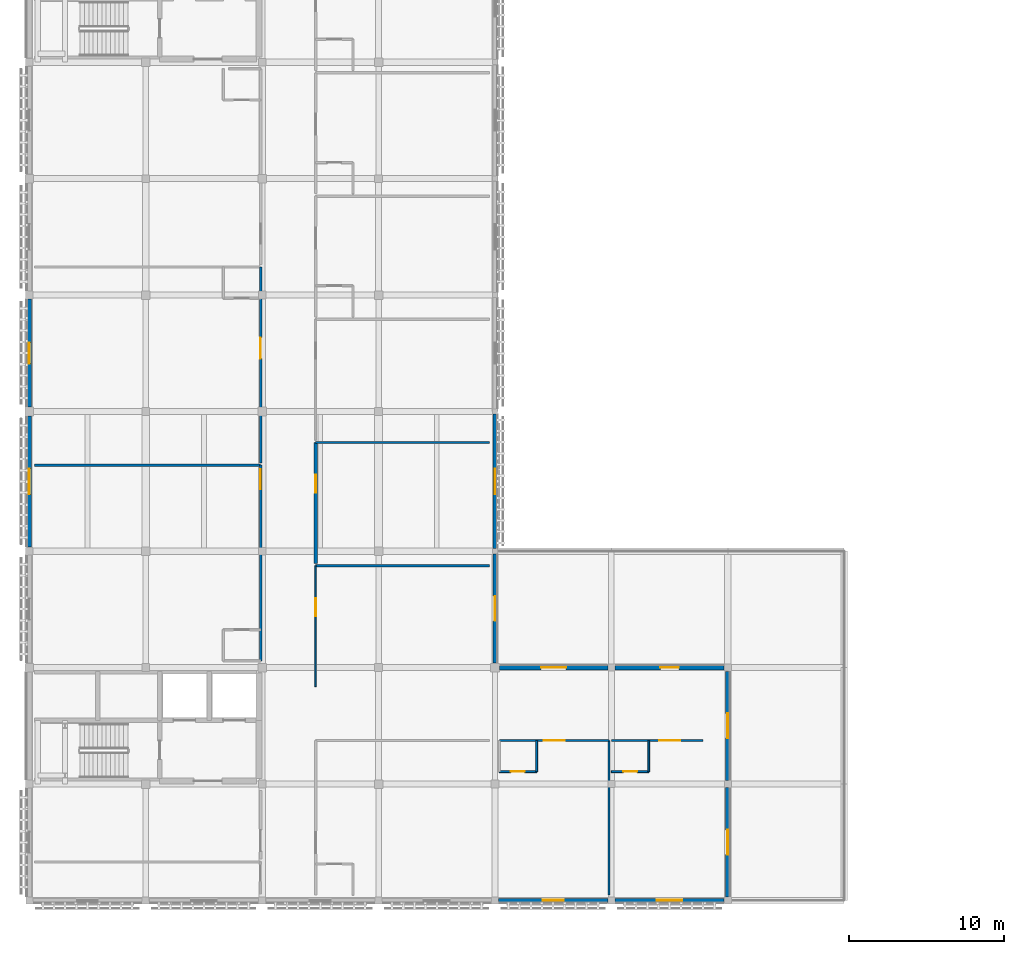
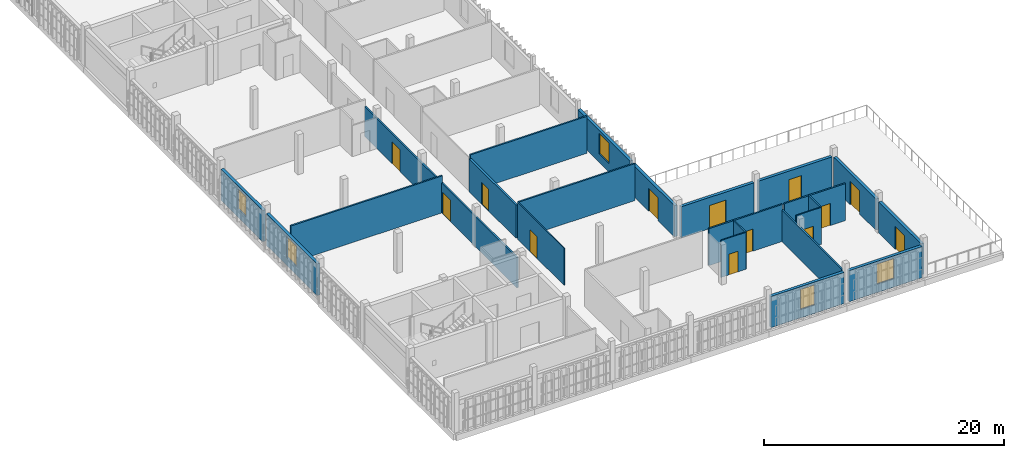
# One storey, part 5 of 17: 24 walls, 13 doors, 5 windows, 18 openings.
"""IFC4 building model written with IfcOpenShell, lengths in metres."""

from ifc_helpers import new_model, si_unit, direction, frame, frame_2d, origin, place, context, subcontext, project, spatial, rectangle, extrude, material, layer, layer_set, type_object, element, fill, save


model = new_model("IFC4")

# Units and contexts
model_context = context("Model", 3, precision=1e-05, world=origin(), true_north=direction((0.0, 1.0)))
body_context = subcontext(model_context, "Body", "Model", "MODEL_VIEW")
ifc_project = project(units=[si_unit("LENGTHUNIT", "METRE"), si_unit("AREAUNIT", "SQUARE_METRE"), si_unit("VOLUMEUNIT", "CUBIC_METRE"), si_unit("PLANEANGLEUNIT", "RADIAN"), si_unit("MASSUNIT", "GRAM", prefix="KILO")], contexts=[model_context])

# Site, building, storey
site_placement = place(None, origin())
site = spatial("IfcSite", under=ifc_project, at=site_placement, CompositionType="ELEMENT")
building_placement = place(site_placement, origin())
building = spatial("IfcBuilding", under=site, at=building_placement, Name="Dalvernix Boulevard General Hospital", CompositionType="ELEMENT")
storey_placement = place(building_placement, frame((0.0, 0.0, 25.949951171875)))
storey = spatial("IfcBuildingStorey", under=building, at=storey_placement, Name="L06", CompositionType="ELEMENT", Elevation=25.949951171875)

# Wall, opening, window
ifc_material_1 = material(Name="Screened upper-ward insulated masonry cavity wall C35/45", Category="masonry")
ifc_layer_1 = layer(ifc_material_1, 0.280029296875)
ifc_layer_set_1 = layer_set([ifc_layer_1], Name="Screened upper-ward insulated masonry cavity wall C35/45 (WAL-EW-03)")
wall_type_1 = type_object("IfcWallType", Name="WAL-EW-03", PredefinedType="STANDARD", material=ifc_layer_set_1)
wall_1_placement = place(storey_placement, frame((0.0, 22.760009765625, 0.0), z_axis=(0.0, 0.0, 1.0), x_axis=(0.0, 1.0, 0.0)))
wall_1 = element("IfcWall", 1, at=wall_1_placement, inside=storey, type_object=wall_type_1, Name="L06 Catalan brick external wall W 0-3", PredefinedType="STANDARD", context=body_context, shape_type="SweptSolid", body=[
    extrude(rectangle(XDim=8.455078125, YDim=0.280029296875, at=frame_2d((4.2275390625, 0.0))), origin(), (0.0, 0.0, 1.0), 3.219970703125),
])
opening_1_placement = place(wall_1_placement, frame((3.402587890625, 0.0, 0.85009765625)))
opening_1 = element("IfcOpeningElement", 2, at=opening_1_placement, cuts=wall_1, Name="Opening WN-20", PredefinedType="OPENING", context=body_context, shape_type="SweptSolid", body=[
    extrude(rectangle(XDim=1.64990234375, YDim=2.090087890625, at=frame_2d((0.824951171875, 1.044921875))), frame((0.0, 0.14990234375, 0.0), z_axis=(0.0, -1.0, 0.0), x_axis=(1.0, 0.0, 0.0)), (0.0, 0.0, 1.0), 0.300048828125),
])
ifc_material_2 = material(Name="Thermally broken aluminium frame with solar-control double glazing", Category="aluminium")
window_type_1 = type_object("IfcWindowType", Name="WIN-WN-20", PartitioningType="SINGLE_PANEL", PredefinedType="WINDOW", material=ifc_material_2)
window_1_placement = place(opening_1_placement, origin())
window_1 = element("IfcWindow", 3, at=window_1_placement, inside=storey, type_object=window_type_1, Name="L06 clinical window WN-20 W 0-3", OverallHeight=2.090087890625, OverallWidth=1.64990234375, PartitioningType="SINGLE_PANEL", PredefinedType="WINDOW", context=body_context, shape_type="SweptSolid", body=[
    extrude(rectangle(XDim=1.64990234375, YDim=2.090087890625, at=frame_2d((0.824951171875, 1.044921875))), frame((0.0, 0.030029296875, 0.0), z_axis=(0.0, -1.0, 0.0), x_axis=(1.0, 0.0, 0.0)), (0.0, 0.0, 1.0), 0.06005859375),
])
fill(opening_1, window_1)

wall_2_placement = place(storey_placement, frame((0.0, 31.784912109375, 0.0), z_axis=(0.0, 0.0, 1.0), x_axis=(0.0, 1.0, 0.0)))
wall_2 = element("IfcWall", 4, at=wall_2_placement, inside=storey, type_object=wall_type_1, Name="L06 Catalan brick external wall W 0-4", PredefinedType="STANDARD", context=body_context, shape_type="SweptSolid", body=[
    extrude(rectangle(XDim=6.955078125, YDim=0.280029296875, at=frame_2d((3.4775390625, 0.0))), origin(), (0.0, 0.0, 1.0), 3.170166015625),
])
opening_2_placement = place(wall_2_placement, frame((2.802490234375, 0.0, 0.85009765625)))
opening_2 = element("IfcOpeningElement", 5, at=opening_2_placement, cuts=wall_2, Name="Opening WN-19", PredefinedType="OPENING", context=body_context, shape_type="SweptSolid", body=[
    extrude(rectangle(XDim=1.35009765625, YDim=2.0400390625, at=frame_2d((0.675048828125, 1.02001953125))), frame((0.0, 0.14990234375, 0.0), z_axis=(0.0, -1.0, 0.0), x_axis=(1.0, 0.0, 0.0)), (0.0, 0.0, 1.0), 0.300048828125),
])
window_type_2 = type_object("IfcWindowType", Name="WIN-WN-19", PartitioningType="SINGLE_PANEL", PredefinedType="WINDOW", material=ifc_material_2)
window_2_placement = place(opening_2_placement, origin())
window_2 = element("IfcWindow", 6, at=window_2_placement, inside=storey, type_object=window_type_2, Name="L06 clinical window WN-19 W 0-4", OverallHeight=2.0400390625, OverallWidth=1.35009765625, PartitioningType="SINGLE_PANEL", PredefinedType="WINDOW", context=body_context, shape_type="SweptSolid", body=[
    extrude(rectangle(XDim=1.35009765625, YDim=2.0400390625, at=frame_2d((0.675048828125, 1.02001953125))), frame((0.0, 0.030029296875, 0.0), z_axis=(0.0, -1.0, 0.0), x_axis=(1.0, 0.0, 0.0)), (0.0, 0.0, 1.0), 0.06005859375),
])
fill(opening_2, window_2)

# Wall, opening, door
wall_3_placement = place(storey_placement, frame((30.0, 22.330078125, 0.0), z_axis=(0.0, 0.0, 1.0), x_axis=(0.0, -1.0, 0.0)))
wall_3 = element("IfcWall", 7, at=wall_3_placement, inside=storey, type_object=wall_type_1, Name="L06 Catalan brick external wall E 4-2", PredefinedType="STANDARD", context=body_context, shape_type="SweptSolid", body=[
    extrude(rectangle(XDim=7.045166015625, YDim=0.280029296875, at=frame_2d((3.5224609375, 0.0))), origin(), (0.0, 0.0, 1.0), 3.170166015625),
])
opening_3_placement = place(wall_3_placement, frame((2.722412109375, 0.0, 0.0)))
opening_3 = element("IfcOpeningElement", 8, at=opening_3_placement, cuts=wall_3, Name="Opening TD-16", PredefinedType="OPENING", context=body_context, shape_type="SweptSolid", body=[
    extrude(rectangle(XDim=1.60009765625, YDim=2.35009765625, at=frame_2d((0.800048828125, 1.175048828125))), frame((0.0, 0.14990234375, 0.0), z_axis=(0.0, -1.0, 0.0), x_axis=(1.0, 0.0, 0.0)), (0.0, 0.0, 1.0), 0.300048828125),
])
ifc_material_3 = material(Name="Powder-coated aluminium and laminated safety glass", Category="aluminium")
door_type_1 = type_object("IfcDoorType", Name="DR-TD-16", OperationType="DOUBLE_DOOR_SINGLE_SWING", PredefinedType="DOOR", material=ifc_material_3)
door_1_placement = place(opening_3_placement, origin())
door_1 = element("IfcDoor", 9, at=door_1_placement, inside=storey, type_object=door_type_1, Name="L06 ward terrace access door E 4-2", OperationType="DOUBLE_DOOR_SINGLE_SWING", OverallHeight=2.35009765625, OverallWidth=1.60009765625, PredefinedType="DOOR", context=body_context, shape_type="SweptSolid", body=[
    extrude(rectangle(XDim=1.60009765625, YDim=2.35009765625, at=frame_2d((0.800048828125, 1.175048828125))), frame((0.0, 0.02490234375, 0.0), z_axis=(0.0, -1.0, 0.0), x_axis=(1.0, 0.0, 0.0)), (0.0, 0.0, 1.0), 0.050048828125),
])
fill(opening_3, door_1)

# Wall, opening, window
wall_4_placement = place(storey_placement, frame((30.0, 31.330078125, 0.0), z_axis=(0.0, 0.0, 1.0), x_axis=(0.0, -1.0, 0.0)))
wall_4 = element("IfcWall", 10, at=wall_4_placement, inside=storey, type_object=wall_type_1, Name="L06 Catalan brick external wall E 4-3", PredefinedType="STANDARD", context=body_context, shape_type="SweptSolid", body=[
    extrude(rectangle(XDim=8.66015625, YDim=0.280029296875, at=frame_2d((4.330078125, 0.0))), origin(), (0.0, 0.0, 1.0), 3.219970703125),
])
opening_4_placement = place(wall_4_placement, frame((3.5048828125, 0.0, 0.85009765625)))
opening_4 = element("IfcOpeningElement", 11, at=opening_4_placement, cuts=wall_4, Name="Opening WN-20", PredefinedType="OPENING", context=body_context, shape_type="SweptSolid", body=[
    extrude(rectangle(XDim=1.64990234375, YDim=2.090087890625, at=frame_2d((0.824951171875, 1.044921875))), frame((0.0, 0.14990234375, 0.0), z_axis=(0.0, -1.0, 0.0), x_axis=(1.0, 0.0, 0.0)), (0.0, 0.0, 1.0), 0.300048828125),
])
window_3_placement = place(opening_4_placement, origin())
window_3 = element("IfcWindow", 12, at=window_3_placement, inside=storey, type_object=window_type_1, Name="L06 clinical window WN-20 E 4-3", OverallHeight=2.090087890625, OverallWidth=1.64990234375, PartitioningType="SINGLE_PANEL", PredefinedType="WINDOW", context=body_context, shape_type="SweptSolid", body=[
    extrude(rectangle(XDim=1.64990234375, YDim=2.090087890625, at=frame_2d((0.824951171875, 1.044921875))), frame((0.0, 0.030029296875, 0.0), z_axis=(0.0, -1.0, 0.0), x_axis=(1.0, 0.0, 0.0)), (0.0, 0.0, 1.0), 0.06005859375),
])
fill(opening_4, window_3)

wall_5_placement = place(storey_placement, frame((37.264892578125, 0.0, 0.0), z_axis=(0.0, 0.0, 1.0), x_axis=(-1.0, 0.0, 0.0)))
wall_5 = element("IfcWall", 13, at=wall_5_placement, inside=storey, type_object=wall_type_1, Name="L06 Catalan brick external wall S 4-0", PredefinedType="STANDARD", context=body_context, shape_type="SweptSolid", body=[
    extrude(rectangle(XDim=7.02978515625, YDim=0.280029296875, at=frame_2d((3.514892578125, 0.0))), origin(), (0.0, 0.0, 1.0), 3.170166015625),
])
opening_5_placement = place(wall_5_placement, frame((2.840087890625, 0.0, 0.85009765625)))
opening_5 = element("IfcOpeningElement", 14, at=opening_5_placement, cuts=wall_5, Name="Opening WN-19", PredefinedType="OPENING", context=body_context, shape_type="SweptSolid", body=[
    extrude(rectangle(XDim=1.35009765625, YDim=2.0400390625, at=frame_2d((0.675048828125, 1.02001953125))), frame((0.0, 0.14990234375, 0.0), z_axis=(0.0, -1.0, 0.0), x_axis=(1.0, 0.0, 0.0)), (0.0, 0.0, 1.0), 0.300048828125),
])
window_4_placement = place(opening_5_placement, origin())
window_4 = element("IfcWindow", 15, at=window_4_placement, inside=storey, type_object=window_type_2, Name="L06 clinical window WN-19 S 4-0", OverallHeight=2.0400390625, OverallWidth=1.35009765625, PartitioningType="SINGLE_PANEL", PredefinedType="WINDOW", context=body_context, shape_type="SweptSolid", body=[
    extrude(rectangle(XDim=1.35009765625, YDim=2.0400390625, at=frame_2d((0.675048828125, 1.02001953125))), frame((0.0, 0.030029296875, 0.0), z_axis=(0.0, -1.0, 0.0), x_axis=(1.0, 0.0, 0.0)), (0.0, 0.0, 1.0), 0.06005859375),
])
fill(opening_5, window_4)

# Wall, opening, door
wall_6_placement = place(storey_placement, frame((30.284912109375, 15.0, 0.0), z_axis=(0.0, 0.0, 1.0), x_axis=(1.0, 0.0, 0.0)))
wall_6 = element("IfcWall", 16, at=wall_6_placement, inside=storey, type_object=wall_type_1, Name="L06 Catalan brick external wall N 4-2", PredefinedType="STANDARD", context=body_context, shape_type="SweptSolid", body=[
    extrude(rectangle(XDim=6.97998046875, YDim=0.280029296875, at=frame_2d((3.489990234375, 0.0))), origin(), (0.0, 0.0, 1.0), 3.170166015625),
])
opening_6_placement = place(wall_6_placement, frame((2.68994140625, 0.0, 0.0)))
opening_6 = element("IfcOpeningElement", 17, at=opening_6_placement, cuts=wall_6, Name="Opening TD-16", PredefinedType="OPENING", context=body_context, shape_type="SweptSolid", body=[
    extrude(rectangle(XDim=1.60009765625, YDim=2.35009765625, at=frame_2d((0.800048828125, 1.175048828125))), frame((0.0, 0.14990234375, 0.0), z_axis=(0.0, -1.0, 0.0), x_axis=(1.0, 0.0, 0.0)), (0.0, 0.0, 1.0), 0.300048828125),
])
door_2_placement = place(opening_6_placement, origin())
door_2 = element("IfcDoor", 18, at=door_2_placement, inside=storey, type_object=door_type_1, Name="L06 ward terrace access door N 4-2", OperationType="DOUBLE_DOOR_SINGLE_SWING", OverallHeight=2.35009765625, OverallWidth=1.60009765625, PredefinedType="DOOR", context=body_context, shape_type="SweptSolid", body=[
    extrude(rectangle(XDim=1.60009765625, YDim=2.35009765625, at=frame_2d((0.800048828125, 1.175048828125))), frame((0.0, 0.02490234375, 0.0), z_axis=(0.0, -1.0, 0.0), x_axis=(1.0, 0.0, 0.0)), (0.0, 0.0, 1.0), 0.050048828125),
])
fill(opening_6, door_2)

# Wall, opening, window
wall_7_placement = place(storey_placement, frame((44.764892578125, 0.0, 0.0), z_axis=(0.0, 0.0, 1.0), x_axis=(-1.0, 0.0, 0.0)))
wall_7 = element("IfcWall", 19, at=wall_7_placement, inside=storey, type_object=wall_type_1, Name="L06 Catalan brick external wall S 5-0", PredefinedType="STANDARD", context=body_context, shape_type="SweptSolid", body=[
    extrude(rectangle(XDim=7.02978515625, YDim=0.280029296875, at=frame_2d((3.514892578125, 0.0))), origin(), (0.0, 0.0, 1.0), 3.170166015625),
])
opening_7_placement = place(wall_7_placement, frame((2.68994140625, 0.0, 0.85009765625)))
opening_7 = element("IfcOpeningElement", 20, at=opening_7_placement, cuts=wall_7, Name="Opening WN-20", PredefinedType="OPENING", context=body_context, shape_type="SweptSolid", body=[
    extrude(rectangle(XDim=1.64990234375, YDim=2.0400390625, at=frame_2d((0.824951171875, 1.02001953125))), frame((0.0, 0.14990234375, 0.0), z_axis=(0.0, -1.0, 0.0), x_axis=(1.0, 0.0, 0.0)), (0.0, 0.0, 1.0), 0.300048828125),
])
window_5_placement = place(opening_7_placement, origin())
window_5 = element("IfcWindow", 21, at=window_5_placement, inside=storey, type_object=window_type_1, Name="L06 clinical window WN-20 S 5-0", OverallHeight=2.0400390625, OverallWidth=1.64990234375, PartitioningType="SINGLE_PANEL", PredefinedType="WINDOW", context=body_context, shape_type="SweptSolid", body=[
    extrude(rectangle(XDim=1.64990234375, YDim=2.0400390625, at=frame_2d((0.824951171875, 1.02001953125))), frame((0.0, 0.030029296875, 0.0), z_axis=(0.0, -1.0, 0.0), x_axis=(1.0, 0.0, 0.0)), (0.0, 0.0, 1.0), 0.06005859375),
])
fill(opening_7, window_5)

# Wall, opening, door
wall_8_placement = place(storey_placement, frame((45.0, 7.264892578125, 0.0), z_axis=(0.0, 0.0, 1.0), x_axis=(0.0, -1.0, 0.0)))
wall_8 = element("IfcWall", 22, at=wall_8_placement, inside=storey, type_object=wall_type_1, Name="L06 Catalan brick external wall E 6-0", PredefinedType="STANDARD", context=body_context, shape_type="SweptSolid", body=[
    extrude(rectangle(XDim=7.02978515625, YDim=0.280029296875, at=frame_2d((3.514892578125, 0.0))), origin(), (0.0, 0.0, 1.0), 3.170166015625),
])
opening_8_placement = place(wall_8_placement, frame((2.715087890625, 0.0, 0.0)))
opening_8 = element("IfcOpeningElement", 23, at=opening_8_placement, cuts=wall_8, Name="Opening TD-16", PredefinedType="OPENING", context=body_context, shape_type="SweptSolid", body=[
    extrude(rectangle(XDim=1.60009765625, YDim=2.35009765625, at=frame_2d((0.800048828125, 1.175048828125))), frame((0.0, 0.14990234375, 0.0), z_axis=(0.0, -1.0, 0.0), x_axis=(1.0, 0.0, 0.0)), (0.0, 0.0, 1.0), 0.300048828125),
])
door_3_placement = place(opening_8_placement, origin())
door_3 = element("IfcDoor", 24, at=door_3_placement, inside=storey, type_object=door_type_1, Name="L06 ward terrace access door E 6-0", OperationType="DOUBLE_DOOR_SINGLE_SWING", OverallHeight=2.35009765625, OverallWidth=1.60009765625, PredefinedType="DOOR", context=body_context, shape_type="SweptSolid", body=[
    extrude(rectangle(XDim=1.60009765625, YDim=2.35009765625, at=frame_2d((0.800048828125, 1.175048828125))), frame((0.0, 0.02490234375, 0.0), z_axis=(0.0, -1.0, 0.0), x_axis=(1.0, 0.0, 0.0)), (0.0, 0.0, 1.0), 0.050048828125),
])
fill(opening_8, door_3)

wall_9_placement = place(storey_placement, frame((37.735107421875, 15.0, 0.0), z_axis=(0.0, 0.0, 1.0), x_axis=(1.0, 0.0, 0.0)))
wall_9 = element("IfcWall", 25, at=wall_9_placement, inside=storey, type_object=wall_type_1, Name="L06 Catalan brick external wall N 5-2", PredefinedType="STANDARD", context=body_context, shape_type="SweptSolid", body=[
    extrude(rectangle(XDim=7.02978515625, YDim=0.280029296875, at=frame_2d((3.514892578125, 0.0))), origin(), (0.0, 0.0, 1.0), 3.170166015625),
])
opening_9_placement = place(wall_9_placement, frame((2.9150390625, 0.0, 0.0)))
opening_9 = element("IfcOpeningElement", 26, at=opening_9_placement, cuts=wall_9, Name="Opening TD-12", PredefinedType="OPENING", context=body_context, shape_type="SweptSolid", body=[
    extrude(rectangle(XDim=1.199951171875, YDim=2.300048828125, at=frame_2d((0.60009765625, 1.14990234375))), frame((0.0, 0.14990234375, 0.0), z_axis=(0.0, -1.0, 0.0), x_axis=(1.0, 0.0, 0.0)), (0.0, 0.0, 1.0), 0.300048828125),
])
door_type_2 = type_object("IfcDoorType", Name="DR-TD-12", OperationType="NOTDEFINED", PredefinedType="DOOR", material=ifc_material_3)
door_4_placement = place(opening_9_placement, origin())
door_4 = element("IfcDoor", 27, at=door_4_placement, inside=storey, type_object=door_type_2, Name="L06 ward terrace access door N 5-2", OperationType="SINGLE_SWING_RIGHT", OverallHeight=2.300048828125, OverallWidth=1.199951171875, PredefinedType="DOOR", context=body_context, shape_type="SweptSolid", body=[
    extrude(rectangle(XDim=1.199951171875, YDim=2.300048828125, at=frame_2d((0.60009765625, 1.14990234375))), frame((0.0, 0.02490234375, 0.0), z_axis=(0.0, -1.0, 0.0), x_axis=(1.0, 0.0, 0.0)), (0.0, 0.0, 1.0), 0.050048828125),
])
fill(opening_9, door_4)

wall_10_placement = place(storey_placement, frame((45.0, 14.764892578125, 0.0), z_axis=(0.0, 0.0, 1.0), x_axis=(0.0, -1.0, 0.0)))
wall_10 = element("IfcWall", 28, at=wall_10_placement, inside=storey, type_object=wall_type_1, Name="L06 Catalan brick external wall E 6-1", PredefinedType="STANDARD", context=body_context, shape_type="SweptSolid", body=[
    extrude(rectangle(XDim=7.02978515625, YDim=0.280029296875, at=frame_2d((3.514892578125, 0.0))), origin(), (0.0, 0.0, 1.0), 3.170166015625),
])
opening_10_placement = place(wall_10_placement, frame((2.715087890625, 0.0, 0.0)))
opening_10 = element("IfcOpeningElement", 29, at=opening_10_placement, cuts=wall_10, Name="Opening TD-16", PredefinedType="OPENING", context=body_context, shape_type="SweptSolid", body=[
    extrude(rectangle(XDim=1.60009765625, YDim=2.35009765625, at=frame_2d((0.800048828125, 1.175048828125))), frame((0.0, 0.14990234375, 0.0), z_axis=(0.0, -1.0, 0.0), x_axis=(1.0, 0.0, 0.0)), (0.0, 0.0, 1.0), 0.300048828125),
])
door_5_placement = place(opening_10_placement, origin())
door_5 = element("IfcDoor", 30, at=door_5_placement, inside=storey, type_object=door_type_1, Name="L06 ward terrace access door E 6-1", OperationType="DOUBLE_DOOR_SINGLE_SWING", OverallHeight=2.35009765625, OverallWidth=1.60009765625, PredefinedType="DOOR", context=body_context, shape_type="SweptSolid", body=[
    extrude(rectangle(XDim=1.60009765625, YDim=2.35009765625, at=frame_2d((0.800048828125, 1.175048828125))), frame((0.0, 0.02490234375, 0.0), z_axis=(0.0, -1.0, 0.0), x_axis=(1.0, 0.0, 0.0)), (0.0, 0.0, 1.0), 0.050048828125),
])
fill(opening_10, door_5)

ifc_material_4 = material(Name="Fire-compartment corridor masonry wall", Category="masonry")
ifc_layer_2 = layer(ifc_material_4, 0.199951171875)
ifc_layer_set_2 = layer_set([ifc_layer_2], Name="Fire-compartment corridor masonry wall (WAL-IW-02)")
wall_type_2 = type_object("IfcWallType", Name="WAL-IW-02", PredefinedType="STANDARD", material=ifc_layer_set_2)
wall_11_placement = place(storey_placement, frame((18.449951171875, 29.497802734375, 0.0), z_axis=(0.0, 0.0, 1.0), x_axis=(0.0, -1.0, 0.0)))
wall_11 = element("IfcWall", 31, at=wall_11_placement, inside=storey, type_object=wall_type_2, Name="L06 Clinical Treatment and Procedure Room L06 corridor wall", PredefinedType="STANDARD", context=body_context, shape_type="SweptSolid", body=[
    extrude(rectangle(XDim=7.77880859375, YDim=0.199951171875, at=frame_2d((3.889404296875, 0.0))), origin(), (0.0, 0.0, 1.0), 3.35498046875),
])
opening_11_placement = place(wall_11_placement, frame((2.088623046875, 0.0, 0.0)))
opening_11 = element("IfcOpeningElement", 32, at=opening_11_placement, cuts=wall_11, Name="Opening ID-08", PredefinedType="OPENING", context=body_context, shape_type="SweptSolid", body=[
    extrude(rectangle(XDim=1.14990234375, YDim=2.199951171875, at=frame_2d((0.574951171875, 1.10009765625))), frame((0.0, 0.10986328125, 0.0), z_axis=(0.0, -1.0, 0.0), x_axis=(1.0, 0.0, 0.0)), (0.0, 0.0, 1.0), 0.219970703125),
])
ifc_material_5 = material(Name="Hospital laminate acoustic timber and steel frame", Category="steel")
door_type_3 = type_object("IfcDoorType", Name="DR-ID-08", OperationType="NOTDEFINED", PredefinedType="DOOR", material=ifc_material_5)
door_6_placement = place(opening_11_placement, origin())
door_6 = element("IfcDoor", 33, at=door_6_placement, inside=storey, type_object=door_type_3, Name="L06 Clinical Treatment and Procedure Room L06 door", OperationType="SINGLE_SWING_LEFT", OverallHeight=2.199951171875, OverallWidth=1.14990234375, PredefinedType="DOOR", context=body_context, shape_type="SweptSolid", body=[
    extrude(rectangle(XDim=1.14990234375, YDim=2.199951171875, at=frame_2d((0.574951171875, 1.10009765625))), frame((0.0, 0.02490234375, 0.0), z_axis=(0.0, -1.0, 0.0), x_axis=(1.0, 0.0, 0.0)), (0.0, 0.0, 1.0), 0.050048828125),
])
fill(opening_11, door_6)

ifc_material_6 = material(Name="Acoustic double-stud gypsum inpatient partition")
ifc_layer_3 = layer(ifc_material_6, 0.14990234375)
ifc_layer_set_3 = layer_set([ifc_layer_3], Name="Acoustic double-stud gypsum inpatient partition (WAL-IW-04)")
wall_type_3 = type_object("IfcWallType", Name="WAL-IW-04", PredefinedType="PARTITIONING", material=ifc_layer_set_3)
wall_12_placement = place(storey_placement, frame((14.89990234375, 15.429931640625, 0.0), z_axis=(0.0, 0.0, 1.0), x_axis=(0.0, 1.0, 0.0)))
wall_12 = element("IfcWall", 34, at=wall_12_placement, inside=storey, type_object=wall_type_3, Name="L06 Negative-Pressure Isolation Room L06-W02 corridor wall", PredefinedType="PARTITIONING", context=body_context, shape_type="SweptSolid", body=[
    extrude(rectangle(XDim=12.606689453125, YDim=0.14990234375, at=frame_2d((6.30322265625, 0.0))), origin(), (0.0, 0.0, 1.0), 3.054931640625),
])
opening_12_placement = place(wall_12_placement, frame((11.056640625, 0.0, 0.0)))
opening_12 = element("IfcOpeningElement", 35, at=opening_12_placement, cuts=wall_12, Name="Opening ID-03", PredefinedType="OPENING", context=body_context, shape_type="SweptSolid", body=[
    extrude(rectangle(XDim=1.300048828125, YDim=2.199951171875, at=frame_2d((0.64990234375, 1.10009765625))), frame((0.0, 0.0849609375, 0.0), z_axis=(0.0, -1.0, 0.0), x_axis=(1.0, 0.0, 0.0)), (0.0, 0.0, 1.0), 0.169921875),
])
door_type_4 = type_object("IfcDoorType", Name="DR-ID-03", OperationType="NOTDEFINED", PredefinedType="DOOR", material=ifc_material_5)
door_7_placement = place(opening_12_placement, origin())
door_7 = element("IfcDoor", 36, at=door_7_placement, inside=storey, type_object=door_type_4, Name="L06 Negative-Pressure Isolation Room L06-W02 door", OperationType="SINGLE_SWING_RIGHT", OverallHeight=2.199951171875, OverallWidth=1.300048828125, PredefinedType="DOOR", context=body_context, shape_type="SweptSolid", body=[
    extrude(rectangle(XDim=1.300048828125, YDim=2.199951171875, at=frame_2d((0.64990234375, 1.10009765625))), frame((0.0, 0.02490234375, 0.0), z_axis=(0.0, -1.0, 0.0), x_axis=(1.0, 0.0, 0.0)), (0.0, 0.0, 1.0), 0.050048828125),
])
fill(opening_12, door_7)

wall_13_placement = place(storey_placement, frame((14.89990234375, 28.19677734375, 0.0), z_axis=(0.0, 0.0, 1.0), x_axis=(0.0, 1.0, 0.0)))
wall_13 = element("IfcWall", 37, at=wall_13_placement, inside=storey, type_object=wall_type_3, Name="L06 Neurology Single Patient Room L06-W03 corridor wall", PredefinedType="PARTITIONING", context=body_context, shape_type="SweptSolid", body=[
    extrude(rectangle(XDim=12.6064453125, YDim=0.14990234375, at=frame_2d((6.30322265625, 0.0))), origin(), (0.0, 0.0, 1.0), 3.054931640625),
])
opening_13_placement = place(wall_13_placement, frame((6.7041015625, 0.0, 0.0)))
opening_13 = element("IfcOpeningElement", 38, at=opening_13_placement, cuts=wall_13, Name="Opening ID-01", PredefinedType="OPENING", context=body_context, shape_type="SweptSolid", body=[
    extrude(rectangle(XDim=1.35009765625, YDim=2.25, at=frame_2d((0.675048828125, 1.125))), frame((0.0, 0.0849609375, 0.0), z_axis=(0.0, -1.0, 0.0), x_axis=(1.0, 0.0, 0.0)), (0.0, 0.0, 1.0), 0.169921875),
])
door_type_5 = type_object("IfcDoorType", Name="DR-ID-01", OperationType="NOTDEFINED", PredefinedType="DOOR", material=ifc_material_5)
door_8_placement = place(opening_13_placement, origin())
door_8 = element("IfcDoor", 39, at=door_8_placement, inside=storey, type_object=door_type_5, Name="L06 Neurology Single Patient Room L06-W03 door", OperationType="SINGLE_SWING_RIGHT", OverallHeight=2.25, OverallWidth=1.35009765625, PredefinedType="DOOR", context=body_context, shape_type="SweptSolid", body=[
    extrude(rectangle(XDim=1.35009765625, YDim=2.25, at=frame_2d((0.675048828125, 1.125))), frame((0.0, 0.02490234375, 0.0), z_axis=(0.0, -1.0, 0.0), x_axis=(1.0, 0.0, 0.0)), (0.0, 0.0, 1.0), 0.050048828125),
])
fill(opening_13, door_8)

wall_14_placement = place(storey_placement, frame((37.344970703125, 10.300048828125, 0.0), z_axis=(0.0, 0.0, 1.0), x_axis=(-1.0, 0.0, 0.0)))
wall_14 = element("IfcWall", 40, at=wall_14_placement, inside=storey, type_object=wall_type_3, Name="L06 Inpatient Ward Suite L06-S1 corridor wall", PredefinedType="PARTITIONING", context=body_context, shape_type="SweptSolid", body=[
    extrude(rectangle(XDim=7.06494140625, YDim=0.14990234375, at=frame_2d((3.532470703125, 0.0))), origin(), (0.0, 0.0, 1.0), 3.755126953125),
])
opening_14_placement = place(wall_14_placement, frame((2.857421875, 0.0, 0.0)))
opening_14 = element("IfcOpeningElement", 41, at=opening_14_placement, cuts=wall_14, Name="Opening ID-01", PredefinedType="OPENING", context=body_context, shape_type="SweptSolid", body=[
    extrude(rectangle(XDim=1.35009765625, YDim=2.25, at=frame_2d((0.675048828125, 1.125))), frame((0.0, 0.0849609375, 0.0), z_axis=(0.0, -1.0, 0.0), x_axis=(1.0, 0.0, 0.0)), (0.0, 0.0, 1.0), 0.169921875),
])
door_9_placement = place(opening_14_placement, origin())
door_9 = element("IfcDoor", 42, at=door_9_placement, inside=storey, type_object=door_type_5, Name="L06 Inpatient Ward Suite L06-S1 door", OperationType="SINGLE_SWING_RIGHT", OverallHeight=2.25, OverallWidth=1.35009765625, PredefinedType="DOOR", context=body_context, shape_type="SweptSolid", body=[
    extrude(rectangle(XDim=1.35009765625, YDim=2.25, at=frame_2d((0.675048828125, 1.125))), frame((0.0, 0.02490234375, 0.0), z_axis=(0.0, -1.0, 0.0), x_axis=(1.0, 0.0, 0.0)), (0.0, 0.0, 1.0), 0.050048828125),
])
fill(opening_14, door_9)

wall_15_placement = place(storey_placement, frame((43.39990234375, 10.300048828125, 0.0), z_axis=(0.0, 0.0, 1.0), x_axis=(-1.0, 0.0, 0.0)))
wall_15 = element("IfcWall", 43, at=wall_15_placement, inside=storey, type_object=wall_type_3, Name="L06 Inpatient Ward Suite L06-S2 corridor wall", PredefinedType="PARTITIONING", context=body_context, shape_type="SweptSolid", body=[
    extrude(rectangle(XDim=5.89501953125, YDim=0.14990234375, at=frame_2d((2.947509765625, 0.0))), origin(), (0.0, 0.0, 1.0), 3.755126953125),
])
opening_15_placement = place(wall_15_placement, frame((1.46337890625, 0.0, 0.0)))
opening_15 = element("IfcOpeningElement", 44, at=opening_15_placement, cuts=wall_15, Name="Opening ID-01", PredefinedType="OPENING", context=body_context, shape_type="SweptSolid", body=[
    extrude(rectangle(XDim=1.35009765625, YDim=2.25, at=frame_2d((0.675048828125, 1.125))), frame((0.0, 0.0849609375, 0.0), z_axis=(0.0, -1.0, 0.0), x_axis=(1.0, 0.0, 0.0)), (0.0, 0.0, 1.0), 0.169921875),
])
door_10_placement = place(opening_15_placement, origin())
door_10 = element("IfcDoor", 45, at=door_10_placement, inside=storey, type_object=door_type_5, Name="L06 Inpatient Ward Suite L06-S2 door", OperationType="SINGLE_SWING_RIGHT", OverallHeight=2.25, OverallWidth=1.35009765625, PredefinedType="DOOR", context=body_context, shape_type="SweptSolid", body=[
    extrude(rectangle(XDim=1.35009765625, YDim=2.25, at=frame_2d((0.675048828125, 1.125))), frame((0.0, 0.02490234375, 0.0), z_axis=(0.0, -1.0, 0.0), x_axis=(1.0, 0.0, 0.0)), (0.0, 0.0, 1.0), 0.050048828125),
])
fill(opening_15, door_10)

# Walls
wall_16_placement = place(storey_placement, frame((0.35009765625, 28.03662109375, 0.0), z_axis=(0.0, 0.0, 1.0), x_axis=(1.0, 0.0, 0.0)))
element("IfcWall", 46, at=wall_16_placement, inside=storey, type_object=wall_type_3, Name="L06 Negative-Pressure Isolation Room L06-W02 partition", PredefinedType="PARTITIONING", context=body_context, shape_type="SweptSolid", body=[
    extrude(rectangle(XDim=14.5498046875, YDim=0.14990234375, at=frame_2d((7.27490234375, 0.0))), origin(), (0.0, 0.0, 1.0), 3.755126953125),
])
for number, where, z_axis, x_axis, name in (
    (47, (18.449951171875, 21.558837890625, 0.0), (0.0, 0.0, 1.0), (1.0, 0.0, 0.0), "L06 Ward Nurse Station and Medication Prep L06 partition"),
    (48, (18.449951171875, 29.497802734375, 0.0), (0.0, 0.0, 1.0), (1.0, 0.0, 0.0), "L06 Clinical Treatment and Procedure Room L06 partition"),
):
    element("IfcWall", number, at=place(storey_placement, frame(where, z_axis=z_axis, x_axis=x_axis)), inside=storey, type_object=wall_type_3, Name=name, PredefinedType="PARTITIONING", context=body_context, shape_type="SweptSolid", body=[
        extrude(rectangle(XDim=11.199951171875, YDim=0.14990234375, at=frame_2d((5.60009765625, 0.0))), origin(), (0.0, 0.0, 1.0), 3.755126953125),
    ])
wall_17_placement = place(storey_placement, frame((37.344970703125, 0.35009765625, 0.0), z_axis=(0.0, 0.0, 1.0), x_axis=(0.0, 1.0, 0.0)))
element("IfcWall", 49, at=wall_17_placement, inside=storey, type_object=wall_type_3, Name="L06 Inpatient Ward Suite L06-S1 partition", PredefinedType="PARTITIONING", context=body_context, shape_type="SweptSolid", body=[
    extrude(rectangle(XDim=9.949951171875, YDim=0.14990234375, at=frame_2d((4.97509765625, 0.0))), origin(), (0.0, 0.0, 1.0), 3.205078125),
])

# Wall, opening, door
ifc_material_7 = material(Name="Moisture-resistant en-suite bathroom partition")
ifc_layer_4 = layer(ifc_material_7, 0.1201171875)
ifc_layer_set_4 = layer_set([ifc_layer_4], Name="Moisture-resistant en-suite bathroom partition (WAL-IW-05)")
wall_type_4 = type_object("IfcWallType", Name="WAL-IW-05", PredefinedType="PARTITIONING", material=ifc_layer_set_4)
wall_18_placement = place(storey_placement, frame((30.280029296875, 8.300048828125, 0.0), z_axis=(0.0, 0.0, 1.0), x_axis=(1.0, 0.0, 0.0)))
wall_18 = element("IfcWall", 50, at=wall_18_placement, inside=storey, type_object=wall_type_4, Name="L06 en-suite bathroom door wall", PredefinedType="PARTITIONING", context=body_context, shape_type="SweptSolid", body=[
    extrude(rectangle(XDim=2.39990234375, YDim=0.1201171875, at=frame_2d((1.199951171875, 0.0))), origin(), (0.0, 0.0, 1.0), 3.755126953125),
])
opening_16_placement = place(wall_18_placement, frame((0.75, 0.0, 0.0)))
opening_16 = element("IfcOpeningElement", 51, at=opening_16_placement, cuts=wall_18, Name="Opening ID-05", PredefinedType="OPENING", context=body_context, shape_type="SweptSolid", body=[
    extrude(rectangle(XDim=0.89990234375, YDim=2.10009765625, at=frame_2d((0.449951171875, 1.050048828125))), frame((0.0, 0.070068359375, 0.0), z_axis=(0.0, -1.0, 0.0), x_axis=(1.0, 0.0, 0.0)), (0.0, 0.0, 1.0), 0.14013671875),
])
door_type_6 = type_object("IfcDoorType", Name="DR-ID-05", OperationType="NOTDEFINED", PredefinedType="DOOR", material=ifc_material_5)
door_11_placement = place(opening_16_placement, origin())
door_11 = element("IfcDoor", 52, at=door_11_placement, inside=storey, type_object=door_type_6, Name="L06 L06-SW-S1 en-suite bathroom door", OperationType="SINGLE_SWING_LEFT", OverallHeight=2.10009765625, OverallWidth=0.89990234375, PredefinedType="DOOR", context=body_context, shape_type="SweptSolid", body=[
    extrude(rectangle(XDim=0.89990234375, YDim=2.10009765625, at=frame_2d((0.449951171875, 1.050048828125))), frame((0.0, 0.02490234375, 0.0), z_axis=(0.0, -1.0, 0.0), x_axis=(1.0, 0.0, 0.0)), (0.0, 0.0, 1.0), 0.050048828125),
])
fill(opening_16, door_11)

# Wall
wall_19_placement = place(storey_placement, frame((32.679931640625, 8.300048828125, 0.0), z_axis=(0.0, 0.0, 1.0), x_axis=(0.0, 1.0, 0.0)))
element("IfcWall", 53, at=wall_19_placement, inside=storey, type_object=wall_type_4, Name="L06 en-suite bathroom side wall", PredefinedType="PARTITIONING", context=body_context, shape_type="SweptSolid", body=[
    extrude(rectangle(XDim=2.0, YDim=0.1201171875, at=frame_2d((1.0, 0.0))), origin(), (0.0, 0.0, 1.0), 3.755126953125),
])

# Wall, opening, door
wall_20_placement = place(storey_placement, frame((37.5048828125, 8.300048828125, 0.0), z_axis=(0.0, 0.0, 1.0), x_axis=(1.0, 0.0, 0.0)))
wall_20 = element("IfcWall", 54, at=wall_20_placement, inside=storey, type_object=wall_type_4, Name="L06 en-suite bathroom door wall", PredefinedType="PARTITIONING", context=body_context, shape_type="SweptSolid", body=[
    extrude(rectangle(XDim=2.400146484375, YDim=0.1201171875, at=frame_2d((1.2001953125, 0.0))), origin(), (0.0, 0.0, 1.0), 3.755126953125),
])
opening_17_placement = place(wall_20_placement, frame((0.75, 0.0, 0.0)))
opening_17 = element("IfcOpeningElement", 55, at=opening_17_placement, cuts=wall_20, Name="Opening ID-05", PredefinedType="OPENING", context=body_context, shape_type="SweptSolid", body=[
    extrude(rectangle(XDim=0.89990234375, YDim=2.10009765625, at=frame_2d((0.449951171875, 1.050048828125))), frame((0.0, 0.070068359375, 0.0), z_axis=(0.0, -1.0, 0.0), x_axis=(1.0, 0.0, 0.0)), (0.0, 0.0, 1.0), 0.14013671875),
])
door_12_placement = place(opening_17_placement, origin())
door_12 = element("IfcDoor", 56, at=door_12_placement, inside=storey, type_object=door_type_6, Name="L06 L06-SW-S2 en-suite bathroom door", OperationType="SINGLE_SWING_LEFT", OverallHeight=2.10009765625, OverallWidth=0.89990234375, PredefinedType="DOOR", context=body_context, shape_type="SweptSolid", body=[
    extrude(rectangle(XDim=0.89990234375, YDim=2.10009765625, at=frame_2d((0.449951171875, 1.050048828125))), frame((0.0, 0.02490234375, 0.0), z_axis=(0.0, -1.0, 0.0), x_axis=(1.0, 0.0, 0.0)), (0.0, 0.0, 1.0), 0.050048828125),
])
fill(opening_17, door_12)

# Wall
wall_21_placement = place(storey_placement, frame((39.905029296875, 8.300048828125, 0.0), z_axis=(0.0, 0.0, 1.0), x_axis=(0.0, 1.0, 0.0)))
element("IfcWall", 57, at=wall_21_placement, inside=storey, type_object=wall_type_4, Name="L06 en-suite bathroom side wall", PredefinedType="PARTITIONING", context=body_context, shape_type="SweptSolid", body=[
    extrude(rectangle(XDim=2.0, YDim=0.1201171875, at=frame_2d((1.0, 0.0))), origin(), (0.0, 0.0, 1.0), 3.755126953125),
])

# Wall, opening, door
ifc_material_8 = material(Name="Fire-resisting clinical sub-partition")
ifc_layer_5 = layer(ifc_material_8, 0.10009765625)
ifc_layer_set_5 = layer_set([ifc_layer_5], Name="Fire-resisting clinical sub-partition (WAL-IW-06)")
wall_type_5 = type_object("IfcWallType", Name="WAL-IW-06", PredefinedType="PARTITIONING", material=ifc_layer_set_5)
wall_22_placement = place(storey_placement, frame((18.449951171875, 21.558837890625, 0.0), z_axis=(0.0, 0.0, 1.0), x_axis=(0.0, -1.0, 0.0)))
wall_22 = element("IfcWall", 58, at=wall_22_placement, inside=storey, type_object=wall_type_5, Name="L06 Ward Nurse Station and Medication Prep L06 corridor wall", PredefinedType="PARTITIONING", context=body_context, shape_type="SweptSolid", body=[
    extrude(rectangle(XDim=7.77880859375, YDim=0.10009765625, at=frame_2d((3.889404296875, 0.0))), origin(), (0.0, 0.0, 1.0), 3.755126953125),
])
opening_18_placement = place(wall_22_placement, frame((2.088623046875, 0.0, 0.0)))
opening_18 = element("IfcOpeningElement", 59, at=opening_18_placement, cuts=wall_22, Name="Opening ID-08", PredefinedType="OPENING", context=body_context, shape_type="SweptSolid", body=[
    extrude(rectangle(XDim=1.14990234375, YDim=2.199951171875, at=frame_2d((0.574951171875, 1.10009765625))), frame((0.0, 0.06005859375, 0.0), z_axis=(0.0, -1.0, 0.0), x_axis=(1.0, 0.0, 0.0)), (0.0, 0.0, 1.0), 0.1201171875),
])
door_13_placement = place(opening_18_placement, origin())
door_13 = element("IfcDoor", 60, at=door_13_placement, inside=storey, type_object=door_type_3, Name="L06 Ward Nurse Station and Medication Prep L06 door", OperationType="SINGLE_SWING_RIGHT", OverallHeight=2.199951171875, OverallWidth=1.14990234375, PredefinedType="DOOR", context=body_context, shape_type="SweptSolid", body=[
    extrude(rectangle(XDim=1.14990234375, YDim=2.199951171875, at=frame_2d((0.574951171875, 1.10009765625))), frame((0.0, 0.02490234375, 0.0), z_axis=(0.0, -1.0, 0.0), x_axis=(1.0, 0.0, 0.0)), (0.0, 0.0, 1.0), 0.050048828125),
])
fill(opening_18, door_13)

save(model, "model.ifc")
